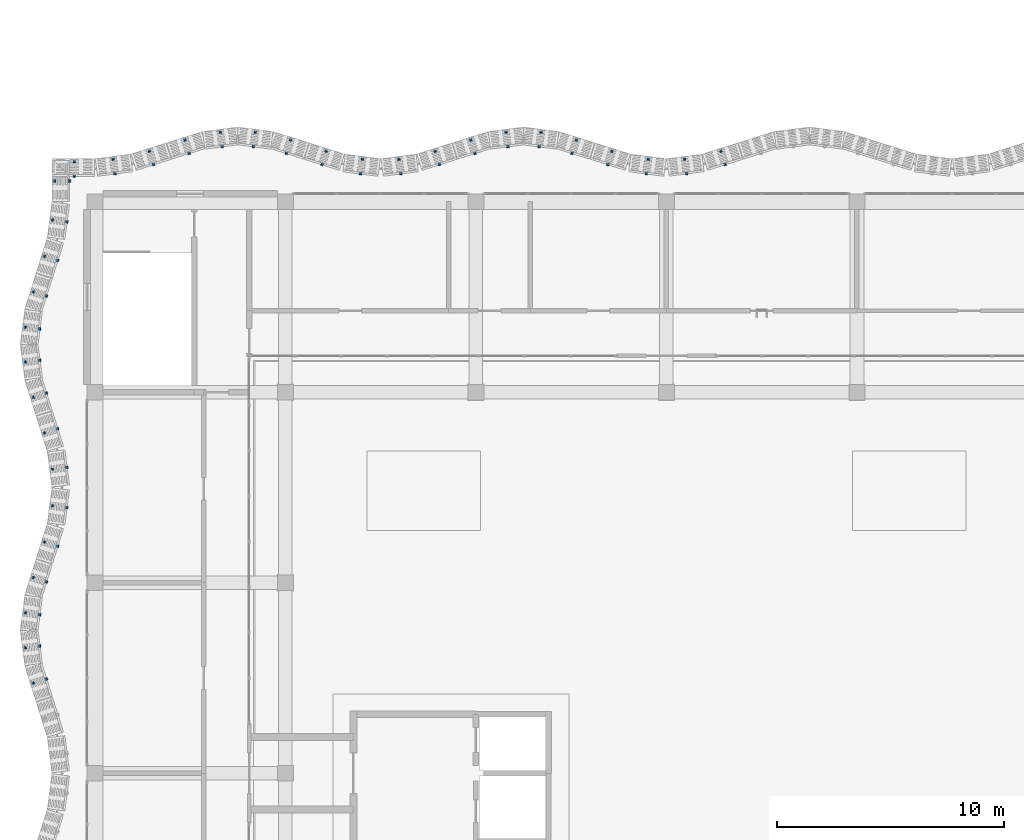
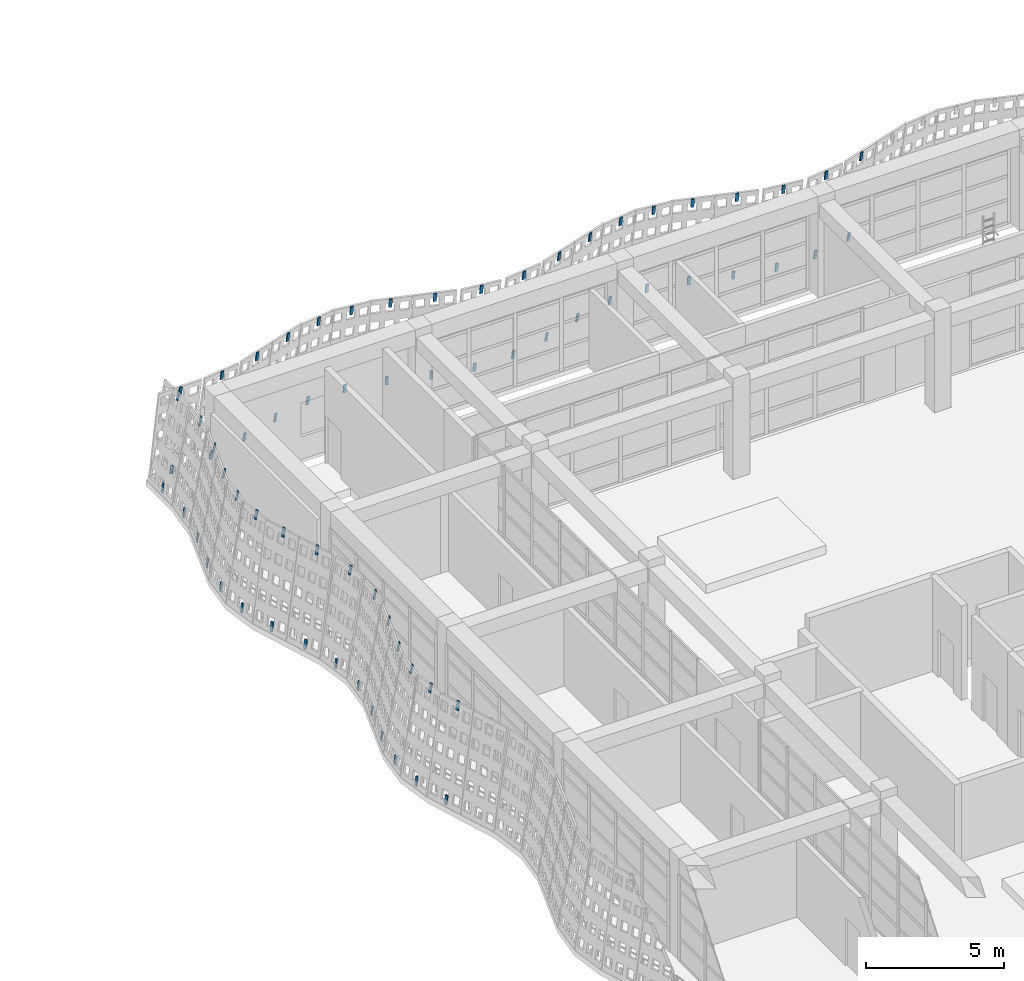
# One storey, part 56 of 85: 68 discrete accessories.
"""IFC4 building model written with IfcOpenShell, lengths in metres."""

from ifc_helpers import new_model, si_unit, direction, frame, origin, origin_2d, place, context, subcontext, project, spatial, rectangle, extrude, material, material_profile, profile_set, type_object, element, save


model = new_model("IFC4")

# Units and contexts
model_context = context("Model", 3, precision=1e-05, world=origin(), true_north=direction((0.0, 1.0)))
body_context = subcontext(model_context, "Body", "Model", "MODEL_VIEW")
ifc_project = project(units=[si_unit("LENGTHUNIT", "METRE"), si_unit("AREAUNIT", "SQUARE_METRE"), si_unit("VOLUMEUNIT", "CUBIC_METRE"), si_unit("PLANEANGLEUNIT", "RADIAN"), si_unit("MASSUNIT", "GRAM", prefix="KILO")], contexts=[model_context])

# Site, building, storey
site_placement = place(None, origin())
site = spatial("IfcSite", under=ifc_project, at=site_placement, CompositionType="ELEMENT")
building_placement = place(site_placement, origin())
building = spatial("IfcBuilding", under=site, at=building_placement, Name="Rain Tree Exposition and Congress Centre", CompositionType="ELEMENT")
storey_placement = place(building_placement, frame((0.0, 0.0, 15.0)))
storey = spatial("IfcBuildingStorey", under=building, at=storey_placement, Name="L03", CompositionType="ELEMENT", Elevation=15.0)

# Discrete accessories
ifc_material = material(Name="Steel S355J2", Category="steel")
ifc_material_profile = material_profile(ifc_material, rectangle(XDim=0.1201171875, YDim=0.050048828125, at=origin_2d()), Name="Flat bar 120x50")
ifc_profile_set = profile_set([ifc_material_profile], Name="Steel S355J2")
discrete_accessory_type = type_object("IfcDiscreteAccessoryType", Name="Screen bracket 120x50", PredefinedType="BRACKET", material=ifc_profile_set)
discrete_accessory_1_placement = place(storey_placement, frame((27.778564453125, 52.0654296875, 3.85107421875), z_axis=(0.046996943907, -0.150146080534, 0.987546171966), x_axis=(0.954341817491, 0.298716747751, 0.0)))
element("IfcDiscreteAccessory", 1, at=discrete_accessory_1_placement, inside=storey, type_object=discrete_accessory_type, Name="wing/bracket/L03/0831t", PredefinedType="BRACKET", context=body_context, shape_type="SweptSolid", body=[
    extrude(rectangle(XDim=0.1201171875, YDim=0.050048828125, at=origin_2d()), origin(), (0.0, 0.0, 1.0), 0.39990234375),
])
discrete_accessory_2_placement = place(storey_placement, frame((27.593994140625, 52.652587890625, 0.00390625), z_axis=(0.04699262887, -0.150742588713, 0.987455500152), x_axis=(0.954686073127, 0.297614686764, 0.0)))
element("IfcDiscreteAccessory", 2, at=discrete_accessory_2_placement, inside=storey, type_object=discrete_accessory_type, Name="wing/bracket/L03/0831b", PredefinedType="BRACKET", context=body_context, shape_type="SweptSolid", body=[
    extrude(rectangle(XDim=0.1201171875, YDim=0.050048828125, at=origin_2d()), origin(), (0.0, 0.0, 1.0), 0.400146484375),
])
for number, where, z_axis, x_axis, name in (
    (3, (26.08349609375, 51.664306640625, 3.851318359375), (0.021363835031, -0.162975541524, 0.986398783159), (0.991517377774, 0.129974188098, 0.0), "wing/bracket/L03/0841t"),
    (4, (26.001220703125, 52.298583984375, 0.004150390625), (0.020753706516, -0.162977636468, 0.986411462665), (0.991989449114, 0.12632075382, 0.0), "wing/bracket/L03/0841b"),
    (5, (24.31640625, 51.664306640625, 3.851318359375), (-0.021363835031, -0.162975541524, 0.986398783159), (0.991517377774, -0.129974188098, 0.0), "wing/bracket/L03/0851t"),
    (6, (24.39892578125, 52.298583984375, 0.004150390625), (-0.021363835031, -0.162975541524, 0.986398783159), (0.991517377774, -0.129974188098, 0.0), "wing/bracket/L03/0851b"),
    (7, (22.62158203125, 52.0654296875, 3.85107421875), (-0.047605919425, -0.150141745877, 0.987517661908), (0.953230637699, -0.302243860734, 0.0), "wing/bracket/L03/0861t"),
):
    element("IfcDiscreteAccessory", number, at=place(storey_placement, frame(where, z_axis=z_axis, x_axis=x_axis)), inside=storey, type_object=discrete_accessory_type, Name=name, PredefinedType="BRACKET", context=body_context, shape_type="SweptSolid", body=[
        extrude(rectangle(XDim=0.1201171875, YDim=0.050048828125, at=origin_2d()), origin(), (0.0, 0.0, 1.0), 0.39990234375),
    ])
for number, where, z_axis, x_axis, name in (
    (8, (22.805908203125, 52.652587890625, 0.00390625), (-0.04699262887, -0.150742588713, 0.987455500152), (0.954686073127, -0.297614686764, 0.0), "wing/bracket/L03/0861b"),
    (9, (21.0498046875, 52.5595703125, 3.85107421875), (-0.04699262887, -0.150742588713, 0.987455500152), (0.954686073127, -0.297614686764, 0.0), "wing/bracket/L03/0871t"),
):
    element("IfcDiscreteAccessory", number, at=place(storey_placement, frame(where, z_axis=z_axis, x_axis=x_axis)), inside=storey, type_object=discrete_accessory_type, Name=name, PredefinedType="BRACKET", context=body_context, shape_type="SweptSolid", body=[
        extrude(rectangle(XDim=0.1201171875, YDim=0.050048828125, at=origin_2d()), origin(), (0.0, 0.0, 1.0), 0.400146484375),
    ])
for number, where, z_axis, x_axis, name in (
    (10, (21.234375, 53.146484375, 0.00390625), (-0.047605919425, -0.150141745877, 0.987517661908), (0.953230637699, -0.302243860734, 0.0), "wing/bracket/L03/0871b"),
    (11, (19.593017578125, 52.85888671875, 3.851318359375), (-0.020755767579, -0.162383358115, 0.986509423736), (0.991929834703, -0.126788023985, 0.0), "wing/bracket/L03/0881t"),
    (12, (19.675537109375, 53.493408203125, 0.004150390625), (-0.021363835031, -0.162975541524, 0.986398783159), (0.991517377774, -0.129974188098, 0.0), "wing/bracket/L03/0881b"),
    (13, (18.20703125, 52.85888671875, 3.851318359375), (0.020755767579, -0.162383358115, 0.986509423736), (0.991929834703, 0.126788023985, 0.0), "wing/bracket/L03/0891t"),
    (14, (18.12451171875, 53.493408203125, 0.004150390625), (0.020753706516, -0.162977636468, 0.986411462665), (0.991989449114, 0.12632075382, 0.0), "wing/bracket/L03/0891b"),
):
    element("IfcDiscreteAccessory", number, at=place(storey_placement, frame(where, z_axis=z_axis, x_axis=x_axis)), inside=storey, type_object=discrete_accessory_type, Name=name, PredefinedType="BRACKET", context=body_context, shape_type="SweptSolid", body=[
        extrude(rectangle(XDim=0.1201171875, YDim=0.050048828125, at=origin_2d()), origin(), (0.0, 0.0, 1.0), 0.39990234375),
    ])
discrete_accessory_3_placement = place(storey_placement, frame((16.75, 52.5595703125, 3.85107421875), z_axis=(0.047601548727, -0.150738237635, 0.987426997946), x_axis=(0.953582665134, 0.301131367937, 0.0)))
element("IfcDiscreteAccessory", 15, at=discrete_accessory_3_placement, inside=storey, type_object=discrete_accessory_type, Name="wing/bracket/L03/0901t", PredefinedType="BRACKET", context=body_context, shape_type="SweptSolid", body=[
    extrude(rectangle(XDim=0.1201171875, YDim=0.050048828125, at=origin_2d()), origin(), (0.0, 0.0, 1.0), 0.400146484375),
])
for number, where, z_axis, x_axis, name in (
    (16, (16.565673828125, 53.146484375, 0.00390625), (0.047605919425, -0.150141745877, 0.987517661908), (0.953230637699, 0.302243860734, 0.0), "wing/bracket/L03/0901b"),
    (17, (15.178466796875, 52.0654296875, 3.85107421875), (0.047605919425, -0.150141745877, 0.987517661908), (0.953230637699, 0.302243860734, 0.0), "wing/bracket/L03/0911t"),
):
    element("IfcDiscreteAccessory", number, at=place(storey_placement, frame(where, z_axis=z_axis, x_axis=x_axis)), inside=storey, type_object=discrete_accessory_type, Name=name, PredefinedType="BRACKET", context=body_context, shape_type="SweptSolid", body=[
        extrude(rectangle(XDim=0.1201171875, YDim=0.050048828125, at=origin_2d()), origin(), (0.0, 0.0, 1.0), 0.39990234375),
    ])
discrete_accessory_4_placement = place(storey_placement, frame((14.993896484375, 52.652587890625, 0.00390625), z_axis=(0.047601548727, -0.150738237635, 0.987426997946), x_axis=(0.953582665134, 0.301131367937, 0.0)))
element("IfcDiscreteAccessory", 18, at=discrete_accessory_4_placement, inside=storey, type_object=discrete_accessory_type, Name="wing/bracket/L03/0911b", PredefinedType="BRACKET", context=body_context, shape_type="SweptSolid", body=[
    extrude(rectangle(XDim=0.1201171875, YDim=0.050048828125, at=origin_2d()), origin(), (0.0, 0.0, 1.0), 0.400146484375),
])
for number, where, z_axis, x_axis, name in (
    (19, (13.483642578125, 51.664306640625, 3.851318359375), (0.021363835031, -0.162975541524, 0.986398783159), (0.991517377774, 0.129974188098, 0.0), "wing/bracket/L03/0921t"),
    (20, (13.401123046875, 52.298583984375, 0.004150390625), (0.020753706516, -0.162977636468, 0.986411462665), (0.991989449114, 0.12632075382, 0.0), "wing/bracket/L03/0921b"),
    (21, (11.71630859375, 51.664306640625, 3.851318359375), (-0.020753706516, -0.162977636468, 0.986411462665), (0.991989449114, -0.12632075382, 0.0), "wing/bracket/L03/0931t"),
    (22, (11.798828125, 52.298583984375, 0.004150390625), (-0.020753706516, -0.162977636468, 0.986411462665), (0.991989449114, -0.12632075382, 0.0), "wing/bracket/L03/0931b"),
    (23, (10.021484375, 52.0654296875, 3.85107421875), (-0.046996943907, -0.150146080534, 0.987546171966), (0.954341817491, -0.298716747751, 0.0), "wing/bracket/L03/0941t"),
):
    element("IfcDiscreteAccessory", number, at=place(storey_placement, frame(where, z_axis=z_axis, x_axis=x_axis)), inside=storey, type_object=discrete_accessory_type, Name=name, PredefinedType="BRACKET", context=body_context, shape_type="SweptSolid", body=[
        extrude(rectangle(XDim=0.1201171875, YDim=0.050048828125, at=origin_2d()), origin(), (0.0, 0.0, 1.0), 0.39990234375),
    ])
for number, where, z_axis, x_axis, name in (
    (24, (10.2060546875, 52.652587890625, 0.00390625), (-0.047601548727, -0.150738237635, 0.987426997946), (0.953582665134, -0.301131367937, 0.0), "wing/bracket/L03/0941b"),
    (25, (8.449951171875, 52.5595703125, 3.85107421875), (-0.047601548727, -0.150738237635, 0.987426997946), (0.953582665134, -0.301131367937, 0.0), "wing/bracket/L03/0951t"),
):
    element("IfcDiscreteAccessory", number, at=place(storey_placement, frame(where, z_axis=z_axis, x_axis=x_axis)), inside=storey, type_object=discrete_accessory_type, Name=name, PredefinedType="BRACKET", context=body_context, shape_type="SweptSolid", body=[
        extrude(rectangle(XDim=0.1201171875, YDim=0.050048828125, at=origin_2d()), origin(), (0.0, 0.0, 1.0), 0.400146484375),
    ])
for number, where, z_axis, x_axis, name in (
    (26, (8.634521484375, 53.146484375, 0.00390625), (-0.047605919425, -0.150141745877, 0.987517661908), (0.953230637699, -0.302243860734, 0.0), "wing/bracket/L03/0951b"),
    (27, (6.992919921875, 52.85888671875, 3.851318359375), (-0.020755767579, -0.162383358115, 0.986509423736), (0.991929834703, -0.126788023985, 0.0), "wing/bracket/L03/0961t"),
    (28, (7.07568359375, 53.493408203125, 0.004150390625), (-0.021363835031, -0.162975541524, 0.986398783159), (0.991517377774, -0.129974188098, 0.0), "wing/bracket/L03/0961b"),
    (29, (5.60693359375, 52.85888671875, 3.851318359375), (0.021365956631, -0.162381270396, 0.986496740452), (0.991454295543, 0.130454512571, 0.0), "wing/bracket/L03/0971t"),
    (30, (5.5244140625, 53.493408203125, 0.004150390625), (0.021363835031, -0.162975541524, 0.986398783159), (0.991517377774, 0.129974188098, 0.0), "wing/bracket/L03/0971b"),
):
    element("IfcDiscreteAccessory", number, at=place(storey_placement, frame(where, z_axis=z_axis, x_axis=x_axis)), inside=storey, type_object=discrete_accessory_type, Name=name, PredefinedType="BRACKET", context=body_context, shape_type="SweptSolid", body=[
        extrude(rectangle(XDim=0.1201171875, YDim=0.050048828125, at=origin_2d()), origin(), (0.0, 0.0, 1.0), 0.39990234375),
    ])
discrete_accessory_5_placement = place(storey_placement, frame((4.150146484375, 52.5595703125, 3.85107421875), z_axis=(0.047601548727, -0.150738237635, 0.987426997946), x_axis=(0.953582665134, 0.301131367937, 0.0)))
element("IfcDiscreteAccessory", 31, at=discrete_accessory_5_placement, inside=storey, type_object=discrete_accessory_type, Name="wing/bracket/L03/0981t", PredefinedType="BRACKET", context=body_context, shape_type="SweptSolid", body=[
    extrude(rectangle(XDim=0.1201171875, YDim=0.050048828125, at=origin_2d()), origin(), (0.0, 0.0, 1.0), 0.400146484375),
])
for number, where, z_axis, x_axis, name in (
    (32, (3.965576171875, 53.146484375, 0.00390625), (0.047605919425, -0.150141745877, 0.987517661908), (0.953230637699, 0.302243860734, 0.0), "wing/bracket/L03/0981b"),
    (33, (2.57861328125, 52.0654296875, 3.85107421875), (0.046996943907, -0.150146080534, 0.987546171966), (0.954341817491, 0.298716747751, 0.0), "wing/bracket/L03/0991t"),
):
    element("IfcDiscreteAccessory", number, at=place(storey_placement, frame(where, z_axis=z_axis, x_axis=x_axis)), inside=storey, type_object=discrete_accessory_type, Name=name, PredefinedType="BRACKET", context=body_context, shape_type="SweptSolid", body=[
        extrude(rectangle(XDim=0.1201171875, YDim=0.050048828125, at=origin_2d()), origin(), (0.0, 0.0, 1.0), 0.39990234375),
    ])
discrete_accessory_6_placement = place(storey_placement, frame((2.39404296875, 52.652587890625, 0.00390625), z_axis=(0.04699262887, -0.150742588713, 0.987455500152), x_axis=(0.954686073127, 0.297614686764, 0.0)))
element("IfcDiscreteAccessory", 34, at=discrete_accessory_6_placement, inside=storey, type_object=discrete_accessory_type, Name="wing/bracket/L03/0991b", PredefinedType="BRACKET", context=body_context, shape_type="SweptSolid", body=[
    extrude(rectangle(XDim=0.1201171875, YDim=0.050048828125, at=origin_2d()), origin(), (0.0, 0.0, 1.0), 0.400146484375),
])
for number, where, z_axis, x_axis, name in (
    (35, (0.883544921875, 51.664306640625, 3.851318359375), (0.021363835031, -0.162975541524, 0.986398783159), (0.991517377774, 0.129974188098, 0.0), "wing/bracket/L03/1001t"),
    (36, (0.801025390625, 52.298583984375, 0.004150390625), (0.021363835031, -0.162975541524, 0.986398783159), (0.991517377774, 0.129974188098, 0.0), "wing/bracket/L03/1001b"),
):
    element("IfcDiscreteAccessory", number, at=place(storey_placement, frame(where, z_axis=z_axis, x_axis=x_axis)), inside=storey, type_object=discrete_accessory_type, Name=name, PredefinedType="BRACKET", context=body_context, shape_type="SweptSolid", body=[
        extrude(rectangle(XDim=0.1201171875, YDim=0.050048828125, at=origin_2d()), origin(), (0.0, 0.0, 1.0), 0.39990234375),
    ])
for number, where, z_axis, x_axis, name in (
    (37, (-0.91015625, 51.550048828125, 3.851318359375), (0.0, -0.165388563864, 0.986228484147), (1.0, 0.0, 0.0), "wing/bracket/L03/1011t"),
    (38, (-0.91015625, 52.1953125, 0.004150390625), (0.0, -0.16598207031, 0.986128770666), (1.0, 0.0, 0.0), "wing/bracket/L03/1011b"),
):
    element("IfcDiscreteAccessory", number, at=place(storey_placement, frame(where, z_axis=z_axis, x_axis=x_axis)), inside=storey, type_object=discrete_accessory_type, Name=name, PredefinedType="BRACKET", context=body_context, shape_type="SweptSolid", body=[
        extrude(rectangle(XDim=0.1201171875, YDim=0.050048828125, at=origin_2d()), origin(), (0.0, 0.0, 1.0), 0.400146484375),
    ])
discrete_accessory_7_placement = place(storey_placement, frame((-1.14990234375, 51.310302734375, 3.851318359375), z_axis=(0.164794877674, 0.0, 0.986327860446), x_axis=(0.0, 1.0, 0.0)))
element("IfcDiscreteAccessory", 39, at=discrete_accessory_7_placement, inside=storey, type_object=discrete_accessory_type, Name="wing/bracket/L03/1021t", PredefinedType="BRACKET", context=body_context, shape_type="SweptSolid", body=[
    extrude(rectangle(XDim=0.1201171875, YDim=0.050048828125, at=origin_2d()), origin(), (0.0, 0.0, 1.0), 0.39990234375),
])
discrete_accessory_8_placement = place(storey_placement, frame((-1.795166015625, 51.310302734375, 0.004150390625), z_axis=(0.165388563864, 0.0, 0.986228484147), x_axis=(0.0, 1.0, 0.0)))
element("IfcDiscreteAccessory", 40, at=discrete_accessory_8_placement, inside=storey, type_object=discrete_accessory_type, Name="wing/bracket/L03/1021b", PredefinedType="BRACKET", context=body_context, shape_type="SweptSolid", body=[
    extrude(rectangle(XDim=0.1201171875, YDim=0.050048828125, at=origin_2d()), origin(), (0.0, 0.0, 1.0), 0.400146484375),
])
for number, where, z_axis, x_axis, name in (
    (41, (-1.26416015625, 49.516357421875, 3.851318359375), (0.162381270396, -0.021365956631, 0.986496740452), (0.130454512571, 0.991454295543, 0.0), "wing/bracket/L03/1031t"),
    (42, (-1.898681640625, 49.598876953125, 0.004150390625), (0.162977636468, -0.020753706516, 0.986411462665), (0.12632075382, 0.991989449114, 0.0), "wing/bracket/L03/1031b"),
):
    element("IfcDiscreteAccessory", number, at=place(storey_placement, frame(where, z_axis=z_axis, x_axis=x_axis)), inside=storey, type_object=discrete_accessory_type, Name=name, PredefinedType="BRACKET", context=body_context, shape_type="SweptSolid", body=[
        extrude(rectangle(XDim=0.1201171875, YDim=0.050048828125, at=origin_2d()), origin(), (0.0, 0.0, 1.0), 0.39990234375),
    ])
for number, where, z_axis, x_axis, name in (
    (43, (-1.66552734375, 47.821533203125, 3.85107421875), (0.150738237635, -0.047601548727, 0.987426997946), (0.301131367937, 0.953582665134, 0.0), "wing/bracket/L03/1041t"),
    (44, (-2.252685546875, 48.006103515625, 0.00390625), (0.150738237635, -0.047601548727, 0.987426997946), (0.301131367937, 0.953582665134, 0.0), "wing/bracket/L03/1041b"),
    (45, (-2.159423828125, 46.25, 3.85107421875), (0.150738237635, -0.047601548727, 0.987426997946), (0.301131367937, 0.953582665134, 0.0), "wing/bracket/L03/1051t"),
    (46, (-2.74658203125, 46.434326171875, 0.00390625), (0.150738237635, -0.047601548727, 0.987426997946), (0.301131367937, 0.953582665134, 0.0), "wing/bracket/L03/1051b"),
):
    element("IfcDiscreteAccessory", number, at=place(storey_placement, frame(where, z_axis=z_axis, x_axis=x_axis)), inside=storey, type_object=discrete_accessory_type, Name=name, PredefinedType="BRACKET", context=body_context, shape_type="SweptSolid", body=[
        extrude(rectangle(XDim=0.1201171875, YDim=0.050048828125, at=origin_2d()), origin(), (0.0, 0.0, 1.0), 0.400146484375),
    ])
for number, where, z_axis, x_axis, name in (
    (47, (-2.458984375, 44.79296875, 3.851318359375), (0.162977636468, -0.020753706516, 0.986411462665), (0.12632075382, 0.991989449114, 0.0), "wing/bracket/L03/1061t"),
    (48, (-3.093505859375, 44.87548828125, 0.004150390625), (0.162977636468, -0.020753706516, 0.986411462665), (0.12632075382, 0.991989449114, 0.0), "wing/bracket/L03/1061b"),
    (49, (-2.458984375, 43.406982421875, 3.851318359375), (0.162977636468, 0.020753706516, 0.986411462665), (-0.12632075382, 0.991989449114, 0.0), "wing/bracket/L03/1071t"),
    (50, (-3.093505859375, 43.324462890625, 0.004150390625), (0.162975541524, 0.021363835031, 0.986398783159), (-0.129974188098, 0.991517377774, 0.0), "wing/bracket/L03/1071b"),
):
    element("IfcDiscreteAccessory", number, at=place(storey_placement, frame(where, z_axis=z_axis, x_axis=x_axis)), inside=storey, type_object=discrete_accessory_type, Name=name, PredefinedType="BRACKET", context=body_context, shape_type="SweptSolid", body=[
        extrude(rectangle(XDim=0.1201171875, YDim=0.050048828125, at=origin_2d()), origin(), (0.0, 0.0, 1.0), 0.39990234375),
    ])
for number, where, z_axis, x_axis, name in (
    (51, (-2.159423828125, 41.9501953125, 3.85107421875), (0.150742588713, 0.04699262887, 0.987455500152), (-0.297614686764, 0.954686073127, 0.0), "wing/bracket/L03/1081t"),
    (52, (-2.74658203125, 41.765625, 0.00390625), (0.150738237635, 0.047601548727, 0.987426997946), (-0.301131367937, 0.953582665134, 0.0), "wing/bracket/L03/1081b"),
    (53, (-1.66552734375, 40.37841796875, 3.85107421875), (0.150738237635, 0.047601548727, 0.987426997946), (-0.301131367937, 0.953582665134, 0.0), "wing/bracket/L03/1091t"),
    (54, (-2.252685546875, 40.194091796875, 0.00390625), (0.150742588713, 0.04699262887, 0.987455500152), (-0.297614686764, 0.954686073127, 0.0), "wing/bracket/L03/1091b"),
):
    element("IfcDiscreteAccessory", number, at=place(storey_placement, frame(where, z_axis=z_axis, x_axis=x_axis)), inside=storey, type_object=discrete_accessory_type, Name=name, PredefinedType="BRACKET", context=body_context, shape_type="SweptSolid", body=[
        extrude(rectangle(XDim=0.1201171875, YDim=0.050048828125, at=origin_2d()), origin(), (0.0, 0.0, 1.0), 0.400146484375),
    ])
for number, where, z_axis, x_axis, name in (
    (55, (-1.26416015625, 38.68359375, 3.851318359375), (0.162381270396, 0.021365956631, 0.986496740452), (-0.130454512571, 0.991454295543, 0.0), "wing/bracket/L03/1101t"),
    (56, (-1.898681640625, 38.60107421875, 0.004150390625), (0.162975541524, 0.021363835031, 0.986398783159), (-0.129974188098, 0.991517377774, 0.0), "wing/bracket/L03/1101b"),
    (57, (-1.26416015625, 36.91650390625, 3.851318359375), (0.162381270396, -0.021365956631, 0.986496740452), (0.130454512571, 0.991454295543, 0.0), "wing/bracket/L03/1111t"),
    (58, (-1.898681640625, 36.998779296875, 0.004150390625), (0.162977636468, -0.020753706516, 0.986411462665), (0.12632075382, 0.991989449114, 0.0), "wing/bracket/L03/1111b"),
):
    element("IfcDiscreteAccessory", number, at=place(storey_placement, frame(where, z_axis=z_axis, x_axis=x_axis)), inside=storey, type_object=discrete_accessory_type, Name=name, PredefinedType="BRACKET", context=body_context, shape_type="SweptSolid", body=[
        extrude(rectangle(XDim=0.1201171875, YDim=0.050048828125, at=origin_2d()), origin(), (0.0, 0.0, 1.0), 0.39990234375),
    ])
for number, where, z_axis, x_axis, name in (
    (59, (-1.66552734375, 35.221435546875, 3.85107421875), (0.150742588713, -0.04699262887, 0.987455500152), (0.297614686764, 0.954686073127, 0.0), "wing/bracket/L03/1121t"),
    (60, (-2.252685546875, 35.406005859375, 0.00390625), (0.150742588713, -0.04699262887, 0.987455500152), (0.297614686764, 0.954686073127, 0.0), "wing/bracket/L03/1121b"),
    (61, (-2.159423828125, 33.64990234375, 3.85107421875), (0.150738237635, -0.047601548727, 0.987426997946), (0.301131367937, 0.953582665134, 0.0), "wing/bracket/L03/1131t"),
    (62, (-2.74658203125, 33.83447265625, 0.00390625), (0.150738237635, -0.047601548727, 0.987426997946), (0.301131367937, 0.953582665134, 0.0), "wing/bracket/L03/1131b"),
):
    element("IfcDiscreteAccessory", number, at=place(storey_placement, frame(where, z_axis=z_axis, x_axis=x_axis)), inside=storey, type_object=discrete_accessory_type, Name=name, PredefinedType="BRACKET", context=body_context, shape_type="SweptSolid", body=[
        extrude(rectangle(XDim=0.1201171875, YDim=0.050048828125, at=origin_2d()), origin(), (0.0, 0.0, 1.0), 0.400146484375),
    ])
for number, where, z_axis, x_axis, name in (
    (63, (-2.458984375, 32.193115234375, 3.851318359375), (0.162975541524, -0.021363835031, 0.986398783159), (0.129974188098, 0.991517377774, 0.0), "wing/bracket/L03/1141t"),
    (64, (-3.093505859375, 32.275634765625, 0.004150390625), (0.162975541524, -0.021363835031, 0.986398783159), (0.129974188098, 0.991517377774, 0.0), "wing/bracket/L03/1141b"),
    (65, (-2.458984375, 30.806884765625, 3.851318359375), (0.162975541524, 0.021363835031, 0.986398783159), (-0.129974188098, 0.991517377774, 0.0), "wing/bracket/L03/1151t"),
    (66, (-3.093505859375, 30.724365234375, 0.004150390625), (0.162975541524, 0.021363835031, 0.986398783159), (-0.129974188098, 0.991517377774, 0.0), "wing/bracket/L03/1151b"),
):
    element("IfcDiscreteAccessory", number, at=place(storey_placement, frame(where, z_axis=z_axis, x_axis=x_axis)), inside=storey, type_object=discrete_accessory_type, Name=name, PredefinedType="BRACKET", context=body_context, shape_type="SweptSolid", body=[
        extrude(rectangle(XDim=0.1201171875, YDim=0.050048828125, at=origin_2d()), origin(), (0.0, 0.0, 1.0), 0.39990234375),
    ])
for number, where, z_axis, x_axis, name in (
    (67, (-2.159423828125, 29.35009765625, 3.85107421875), (0.150738237635, 0.047601548727, 0.987426997946), (-0.301131367937, 0.953582665134, 0.0), "wing/bracket/L03/1161t"),
    (68, (-2.74658203125, 29.16552734375, 0.00390625), (0.150738237635, 0.047601548727, 0.987426997946), (-0.301131367937, 0.953582665134, 0.0), "wing/bracket/L03/1161b"),
):
    element("IfcDiscreteAccessory", number, at=place(storey_placement, frame(where, z_axis=z_axis, x_axis=x_axis)), inside=storey, type_object=discrete_accessory_type, Name=name, PredefinedType="BRACKET", context=body_context, shape_type="SweptSolid", body=[
        extrude(rectangle(XDim=0.1201171875, YDim=0.050048828125, at=origin_2d()), origin(), (0.0, 0.0, 1.0), 0.400146484375),
    ])

save(model, "model.ifc")
